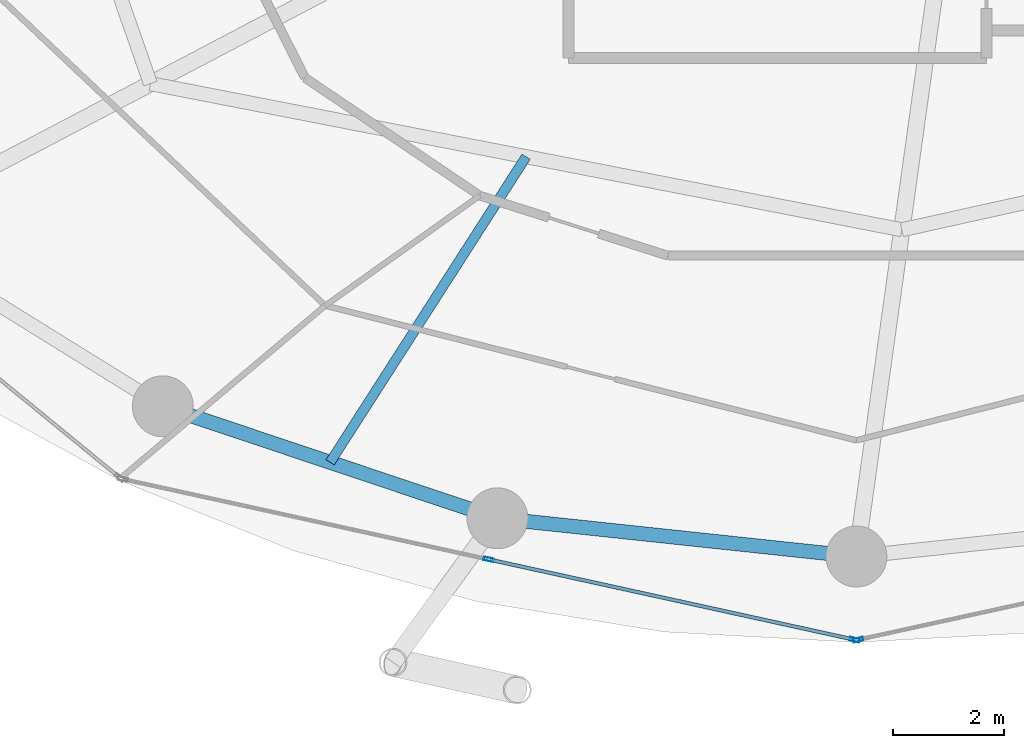
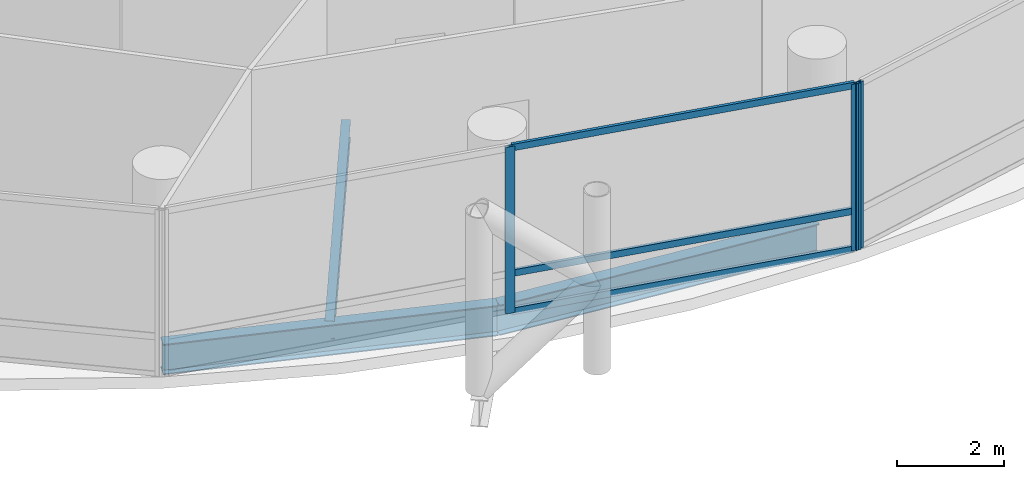
# One storey, part 4 of 24: 6 members, 3 beams, 2 elements without a shape of their own.
"""IFC4 building model written with IfcOpenShell, lengths in metres."""

from ifc_helpers import new_model, si_unit, direction, frame, origin, origin_2d, place, context, subcontext, project, spatial, hollow_rectangle, i_section, extrude, material, layer, layer_set, material_profile, profile_set, type_object, element, aggregate, save


model = new_model("IFC4")

# Units and contexts
model_context = context("Model", 3, precision=1e-05, world=origin(), true_north=direction((0.0, 1.0)))
body_context = subcontext(model_context, "Body", "Model", "MODEL_VIEW")
ifc_project = project(units=[si_unit("LENGTHUNIT", "METRE"), si_unit("AREAUNIT", "SQUARE_METRE"), si_unit("VOLUMEUNIT", "CUBIC_METRE"), si_unit("PLANEANGLEUNIT", "RADIAN"), si_unit("MASSUNIT", "GRAM", prefix="KILO")], contexts=[model_context])

# Site, building, storey
site_placement = place(None, origin())
site = spatial("IfcSite", under=ifc_project, at=site_placement, CompositionType="ELEMENT")
building_placement = place(site_placement, origin())
building = spatial("IfcBuilding", under=site, at=building_placement, Name="Nuhasar Tower", CompositionType="ELEMENT")
storey_placement = place(building_placement, frame((0.0, 0.0, 37.199951171875)))
storey = spatial("IfcBuildingStorey", under=building, at=storey_placement, Name="L08", CompositionType="ELEMENT", Elevation=37.199951171875)

# Beams
ifc_material_1 = material(Name="Steel S355", Category="steel")
ifc_material_profile_1 = material_profile(ifc_material_1, i_section(OverallWidth=0.177978515625, OverallDepth=0.406005859375, WebThickness=0.0078125, FlangeThickness=0.0126953125, at=origin_2d()), Name="W16X40")
ifc_profile_set_1 = profile_set([ifc_material_profile_1], Name="Steel S355")
beam_type_1 = type_object("IfcBeamType", Name="BM-JST-W16X40", PredefinedType="JOIST", material=ifc_profile_set_1)
beam_1_placement = place(storey_placement, frame((33.035888671875, 13.77001953125, -0.462890625), z_axis=(-0.539944240715, -0.841700788237, 0.0), x_axis=(0.841700788237, -0.539944240715, 0.0)))
element("IfcBeam", 1, at=beam_1_placement, inside=storey, type_object=beam_type_1, Name="L08 Secondary Floor Joist 01", PredefinedType="JOIST", context=body_context, shape_type="SweptSolid", body=[
    extrude(i_section(OverallWidth=0.177978515625, OverallDepth=0.406005859375, WebThickness=0.0078125, FlangeThickness=0.0126953125, at=origin_2d()), origin(), (0.0, 0.0, 1.0), 6.555908203125),
])
ifc_material_profile_2 = material_profile(ifc_material_1, i_section(OverallWidth=0.256103515625, OverallDepth=0.693115234375, WebThickness=0.014404296875, FlangeThickness=0.023681640625, at=origin_2d()), Name="W27X114")
ifc_profile_set_2 = profile_set([ifc_material_profile_2], Name="Steel S355")
beam_type_2 = type_object("IfcBeamType", Name="BM-RING-W27X114", PredefinedType="SPANDREL", material=ifc_profile_set_2)
beam_2_placement = place(storey_placement, frame((26.47509765625, 9.262939453125, -0.60693359375), z_axis=(0.94826097201, -0.317491935271, 0.0), x_axis=(0.317491935271, 0.94826097201, 0.0)))
element("IfcBeam", 2, at=beam_2_placement, inside=storey, type_object=beam_type_2, Name="L08 Perimeter Ring Spandrel 17", PredefinedType="SPANDREL", context=body_context, shape_type="SweptSolid", body=[
    extrude(i_section(OverallWidth=0.256103515625, OverallDepth=0.693115234375, WebThickness=0.014404296875, FlangeThickness=0.023681640625, at=origin_2d()), origin(), (0.0, 0.0, 1.0), 6.37158203125),
])
beam_3_placement = place(storey_placement, frame((32.51708984375, 7.239990234375, -0.60693359375), z_axis=(0.994384554061, -0.105827022286, 0.0), x_axis=(0.105827022286, 0.994384554061, 0.0)))
element("IfcBeam", 3, at=beam_3_placement, inside=storey, type_object=beam_type_2, Name="L08 Perimeter Ring Spandrel 18", PredefinedType="SPANDREL", context=body_context, shape_type="SweptSolid", body=[
    extrude(i_section(OverallWidth=0.256103515625, OverallDepth=0.693115234375, WebThickness=0.014404296875, FlangeThickness=0.023681640625, at=origin_2d()), origin(), (0.0, 0.0, 1.0), 6.51953125),
])

# Curtain wall, members
ifc_material_2 = material(Name="Aluminium 6063-T6", Category="aluminium")
ifc_layer = layer(ifc_material_2, 0.199951171875)
ifc_layer_set = layer_set([ifc_layer], Name="Aluminium 6063-T6")
curtain_wall_type = type_object("IfcCurtainWallType", Name="CW-Z1-OFF", PredefinedType="NOTDEFINED", material=ifc_layer_set)
curtain_wall_1_placement = place(storey_placement, origin())
curtain_wall_1 = element("IfcCurtainWall", 4, at=curtain_wall_1_placement, inside=storey, type_object=curtain_wall_type, Name="L08 Unitised Curtain Wall 09", PredefinedType="NOTDEFINED")
ifc_material_profile_3 = material_profile(ifc_material_2, hollow_rectangle(XDim=0.06494140625, YDim=0.179931640625, WallThickness=0.0048828125, at=origin_2d()), Name="CWM-2")
ifc_profile_set_3 = profile_set([ifc_material_profile_3], Name="Aluminium 6063-T6")
member_type_1 = type_object("IfcMemberType", Name="CW-MUL-S2", PredefinedType="MULLION", material=ifc_profile_set_3)
member_1_placement = place(storey_placement, frame((32.360107421875, 6.49755859375, 0.0), z_axis=(0.0, 0.0, 1.0), x_axis=(0.214398737637, 0.976746221544, 0.0)))
member_1 = element("IfcMember", 5, at=member_1_placement, type_object=member_type_1, Name="CW-Z1 mullion 2", PredefinedType="MULLION", context=body_context, shape_type="SweptSolid", body=[
    extrude(hollow_rectangle(XDim=0.06494140625, YDim=0.179931640625, WallThickness=0.0048828125, at=origin_2d()), origin(), (0.0, 0.0, 1.0), 3.7900390625),
])
member_2_placement = place(storey_placement, frame((38.96826171875, 5.046875, 0.0), z_axis=(0.0, 0.0, 1.0), x_axis=(0.214398737637, 0.976746221544, 0.0)))
member_2 = element("IfcMember", 6, at=member_2_placement, type_object=member_type_1, Name="CW-Z1 mullion 3", PredefinedType="MULLION", context=body_context, shape_type="SweptSolid", body=[
    extrude(hollow_rectangle(XDim=0.06494140625, YDim=0.179931640625, WallThickness=0.0048828125, at=origin_2d()), origin(), (0.0, 0.0, 1.0), 3.7900390625),
])

# Curtain wall, member
curtain_wall_2_placement = place(storey_placement, origin())
curtain_wall_2 = element("IfcCurtainWall", 7, at=curtain_wall_2_placement, inside=storey, type_object=curtain_wall_type, Name="L08 Unitised Curtain Wall 10", PredefinedType="NOTDEFINED")
member_3_placement = place(storey_placement, frame((39.03173828125, 5.046875, 0.0), z_axis=(0.0, 0.0, 1.0), x_axis=(-0.214398737637, 0.976746221544, 0.0)))
member_3 = element("IfcMember", 8, at=member_3_placement, type_object=member_type_1, Name="CW-Z1 mullion 1", PredefinedType="MULLION", context=body_context, shape_type="SweptSolid", body=[
    extrude(hollow_rectangle(XDim=0.06494140625, YDim=0.179931640625, WallThickness=0.0048828125, at=origin_2d()), origin(), (0.0, 0.0, 1.0), 3.7900390625),
])
aggregate(curtain_wall_2, [member_3])

# Member
ifc_material_profile_4 = material_profile(ifc_material_2, hollow_rectangle(XDim=0.06494140625, YDim=0.14990234375, WallThickness=0.00439453125, at=origin_2d()), Name="CWT-2")
ifc_profile_set_4 = profile_set([ifc_material_profile_4], Name="Aluminium 6063-T6")
member_type_2 = type_object("IfcMemberType", Name="CW-TRN-S2", PredefinedType="USERDEFINED", material=ifc_profile_set_4)
member_4_placement = place(storey_placement, frame((32.391845703125, 6.490478515625, 0.032470703125), z_axis=(0.976747879138, -0.214391185916, 0.0), x_axis=(0.214391185916, 0.976747879138, 0.0)))
member_4 = element("IfcMember", 9, at=member_4_placement, type_object=member_type_2, Name="CW-Z1 transom 2.1", ObjectType="TRANSOM", PredefinedType="USERDEFINED", context=body_context, shape_type="SweptSolid", body=[
    extrude(hollow_rectangle(XDim=0.06494140625, YDim=0.14990234375, WallThickness=0.00439453125, at=origin_2d()), origin(), (0.0, 0.0, 1.0), 6.700439453125),
])

member_5_placement = place(storey_placement, frame((32.391845703125, 6.490478515625, 0.900146484375), z_axis=(0.976747879138, -0.214391185916, 0.0), x_axis=(0.214391185916, 0.976747879138, 0.0)))
member_5 = element("IfcMember", 10, at=member_5_placement, type_object=member_type_2, Name="CW-Z1 transom 2.2", ObjectType="TRANSOM", PredefinedType="USERDEFINED", context=body_context, shape_type="SweptSolid", body=[
    extrude(hollow_rectangle(XDim=0.06494140625, YDim=0.14990234375, WallThickness=0.00439453125, at=origin_2d()), origin(), (0.0, 0.0, 1.0), 6.700439453125),
])

member_6_placement = place(storey_placement, frame((32.391845703125, 6.490478515625, 3.757568359375), z_axis=(0.976747879138, -0.214391185916, 0.0), x_axis=(0.214391185916, 0.976747879138, 0.0)))
member_6 = element("IfcMember", 11, at=member_6_placement, type_object=member_type_2, Name="CW-Z1 transom 2.3", ObjectType="TRANSOM", PredefinedType="USERDEFINED", context=body_context, shape_type="SweptSolid", body=[
    extrude(hollow_rectangle(XDim=0.06494140625, YDim=0.14990234375, WallThickness=0.00439453125, at=origin_2d()), origin(), (0.0, 0.0, 1.0), 6.700439453125),
])

aggregate(curtain_wall_1, [member_1, member_2, member_4, member_5, member_6])

save(model, "model.ifc")
